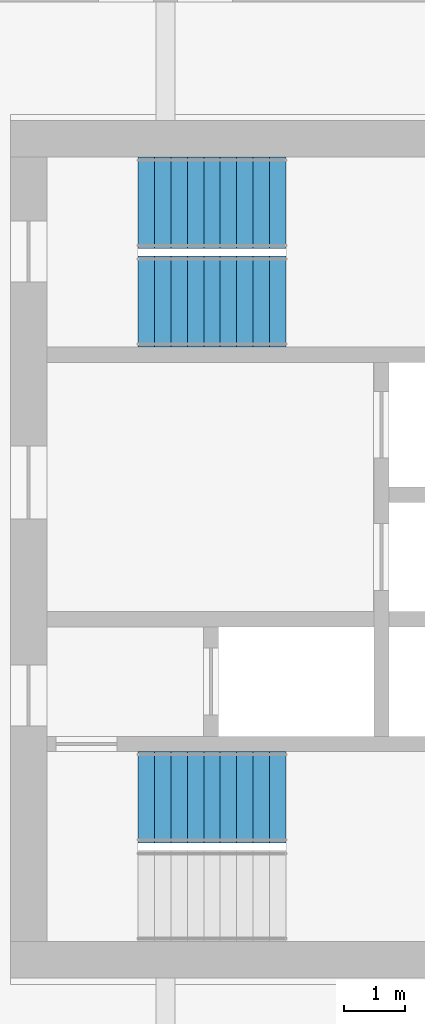
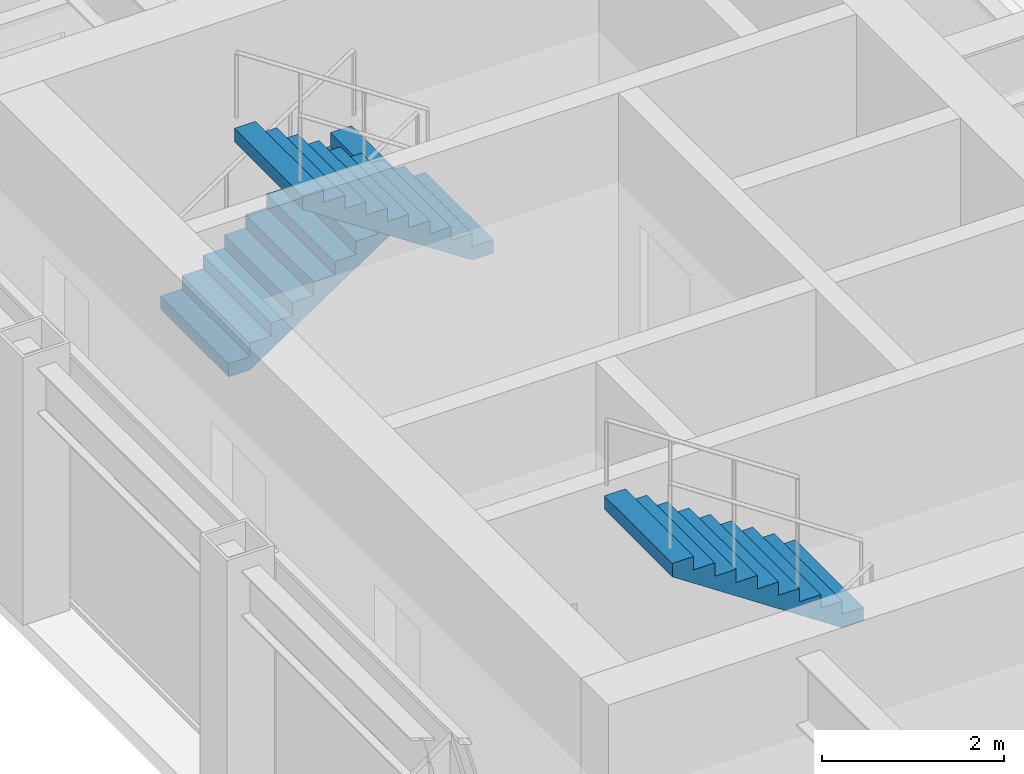
# One storey, part 14 of 17: 3 stair flights, 2 elements without a shape of their own.
"""IFC4 building model written with IfcOpenShell, lengths in metres."""

from ifc_helpers import new_model, si_unit, direction, frame, origin, place, context, subcontext, project, spatial, polyline, outline, extrude, material, type_object, element, aggregate, save


model = new_model("IFC4")

# Units and contexts
model_context = context("Model", 3, precision=1e-05, world=origin(), true_north=direction((0.0, 1.0)))
body_context = subcontext(model_context, "Body", "Model", "MODEL_VIEW")
ifc_project = project(units=[si_unit("LENGTHUNIT", "METRE"), si_unit("AREAUNIT", "SQUARE_METRE"), si_unit("VOLUMEUNIT", "CUBIC_METRE"), si_unit("PLANEANGLEUNIT", "RADIAN"), si_unit("MASSUNIT", "GRAM", prefix="KILO")], contexts=[model_context])

# Site, building, storey
site_placement = place(None, origin())
site = spatial("IfcSite", under=ifc_project, at=site_placement, CompositionType="ELEMENT")
building_placement = place(site_placement, origin())
building = spatial("IfcBuilding", under=site, at=building_placement, Name="Msasa Ring Tower", CompositionType="ELEMENT")
storey_placement = place(building_placement, frame((0.0, 0.0, 129.199951171875)))
storey = spatial("IfcBuildingStorey", under=building, at=storey_placement, Name="L33", CompositionType="ELEMENT", Elevation=129.199951171875)

# Stair, stair flight
ifc_material_1 = material(Name="Concrete C40/50", Category="concrete")
stair_type = type_object("IfcStairType", Name="STC CORE STAIR 20 RISERS 180", PredefinedType="HALF_TURN_STAIR", material=ifc_material_1)
stair_1_placement = place(storey_placement, origin())
stair_1 = element("IfcStair", 1, at=stair_1_placement, inside=storey, type_object=stair_type, Name="Core stair SEA L33", PredefinedType="HALF_TURN_STAIR")
ifc_material_2 = material(Name="Concrete C40/50", Category="concrete")
stair_flight_type = type_object("IfcStairFlightType", Name="ST14 CORE STAIR FLIGHT 1500 10 RISERS 180", PredefinedType="STRAIGHT", material=ifc_material_2)
stair_flight_1_placement = place(storey_placement, frame((13.22998046875, -4.074951171875, 1.800048828125), z_axis=(0.0, 0.0, 1.0), x_axis=(-1.0, 0.0, 0.0)))
stair_flight_1 = element("IfcStairFlight", 2, at=stair_flight_1_placement, type_object=stair_flight_type, Name="SEA flight 2", NumberOfRisers=10, NumberOfTreads=9, PredefinedType="STRAIGHT", RiserHeight=0.18, TreadLength=0.27, context=body_context, shape_type="SweptSolid", body=[
    extrude(outline(polyline([(0.0, 0.0), (0.0, 0.179931640625), (0.27001953125, 0.179931640625), (0.27001953125, 0.360107421875), (0.5400390625, 0.360107421875), (0.5400390625, 0.5400390625), (0.81005859375, 0.5400390625), (0.81005859375, 0.719970703125), (1.080078125, 0.719970703125), (1.080078125, 0.89990234375), (1.35009765625, 0.89990234375), (1.35009765625, 1.080078125), (1.6201171875, 1.080078125), (1.6201171875, 1.260009765625), (1.889892578125, 1.260009765625), (1.889892578125, 1.43994140625), (2.159912109375, 1.43994140625), (2.159912109375, 1.6201171875), (2.429931640625, 1.6201171875), (2.429931640625, 1.800048828125), (2.429931640625, 1.43994140625), (0.270263671875, 0.0), (0.0, 0.0)])), frame((0.0, 0.75, 0.0), z_axis=(0.0, -1.0, 0.0), x_axis=(1.0, 0.0, 0.0)), (0.0, 0.0, 1.0), 1.5),
])
aggregate(stair_1, [stair_flight_1])

# Stair, stair flights
stair_2_placement = place(storey_placement, origin())
stair_2 = element("IfcStair", 3, at=stair_2_placement, inside=storey, type_object=stair_type, Name="Core stair SEB L33", PredefinedType="HALF_TURN_STAIR")
stair_flight_2_placement = place(storey_placement, frame((10.800048828125, 5.699951171875, 0.0), z_axis=(0.0, 0.0, 1.0), x_axis=(1.0, 0.0, 0.0)))
stair_flight_2 = element("IfcStairFlight", 4, at=stair_flight_2_placement, type_object=stair_flight_type, Name="SEB flight 1", NumberOfRisers=10, NumberOfTreads=9, PredefinedType="STRAIGHT", RiserHeight=0.18, TreadLength=0.27, context=body_context, shape_type="SweptSolid", body=[
    extrude(outline(polyline([(0.0, 0.0), (0.0, 0.179931640625), (0.27001953125, 0.179931640625), (0.27001953125, 0.360107421875), (0.5400390625, 0.360107421875), (0.5400390625, 0.5400390625), (0.81005859375, 0.5400390625), (0.81005859375, 0.719970703125), (1.080078125, 0.719970703125), (1.080078125, 0.89990234375), (1.35009765625, 0.89990234375), (1.35009765625, 1.080078125), (1.6201171875, 1.080078125), (1.6201171875, 1.260009765625), (1.889892578125, 1.260009765625), (1.889892578125, 1.43994140625), (2.159912109375, 1.43994140625), (2.159912109375, 1.6201171875), (2.429931640625, 1.6201171875), (2.429931640625, 1.800048828125), (2.429931640625, 1.43994140625), (0.270263671875, 0.0), (0.0, 0.0)])), frame((0.0, 0.75, 0.0), z_axis=(0.0, -1.0, 0.0), x_axis=(1.0, 0.0, 0.0)), (0.0, 0.0, 1.0), 1.5),
])
stair_flight_3_placement = place(storey_placement, frame((13.22998046875, 4.074951171875, 1.800048828125), z_axis=(0.0, 0.0, 1.0), x_axis=(-1.0, 0.0, 0.0)))
stair_flight_3 = element("IfcStairFlight", 5, at=stair_flight_3_placement, type_object=stair_flight_type, Name="SEB flight 2", NumberOfRisers=10, NumberOfTreads=9, PredefinedType="STRAIGHT", RiserHeight=0.18, TreadLength=0.27, context=body_context, shape_type="SweptSolid", body=[
    extrude(outline(polyline([(0.0, 0.0), (0.0, 0.179931640625), (0.27001953125, 0.179931640625), (0.27001953125, 0.360107421875), (0.5400390625, 0.360107421875), (0.5400390625, 0.5400390625), (0.81005859375, 0.5400390625), (0.81005859375, 0.719970703125), (1.080078125, 0.719970703125), (1.080078125, 0.89990234375), (1.35009765625, 0.89990234375), (1.35009765625, 1.080078125), (1.6201171875, 1.080078125), (1.6201171875, 1.260009765625), (1.889892578125, 1.260009765625), (1.889892578125, 1.43994140625), (2.159912109375, 1.43994140625), (2.159912109375, 1.6201171875), (2.429931640625, 1.6201171875), (2.429931640625, 1.800048828125), (2.429931640625, 1.43994140625), (0.270263671875, 0.0), (0.0, 0.0)])), frame((0.0, 0.75, 0.0), z_axis=(0.0, -1.0, 0.0), x_axis=(1.0, 0.0, 0.0)), (0.0, 0.0, 1.0), 1.5),
])
aggregate(stair_2, [stair_flight_2, stair_flight_3])

save(model, "model.ifc")
